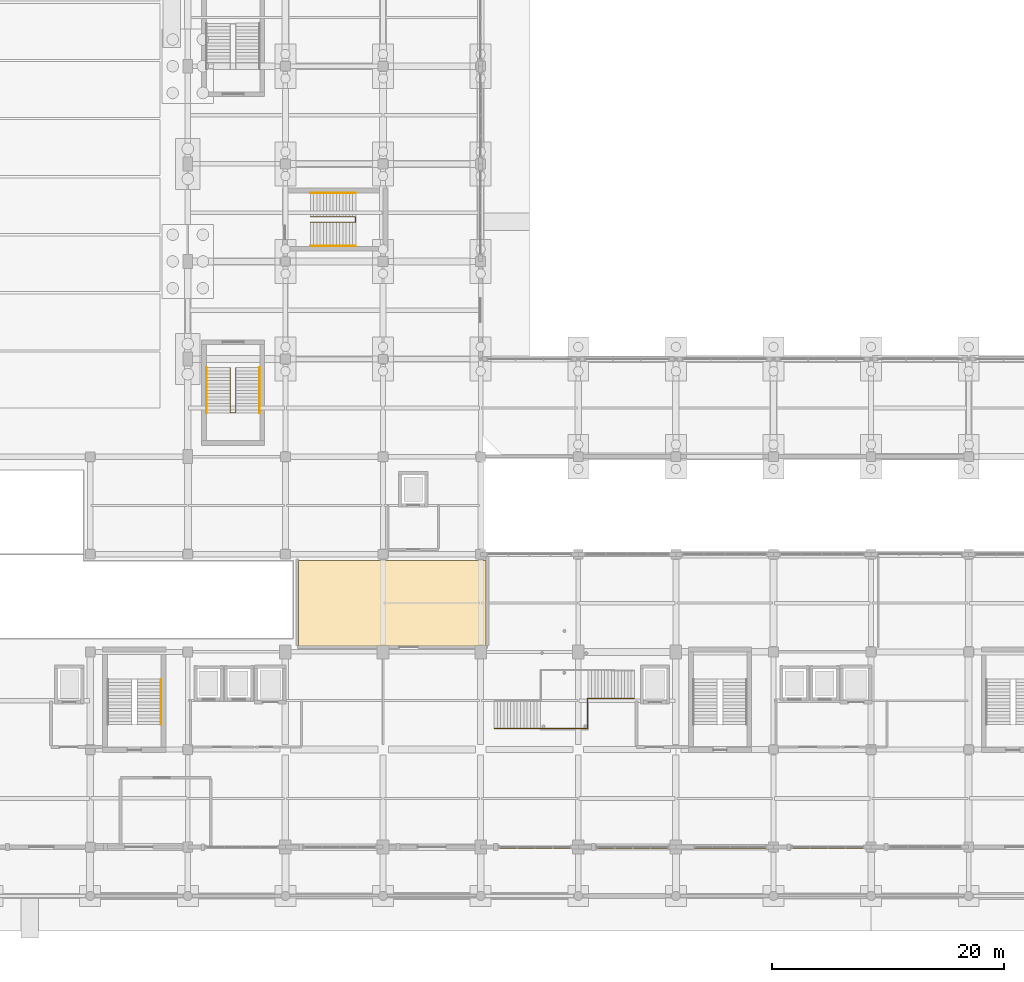
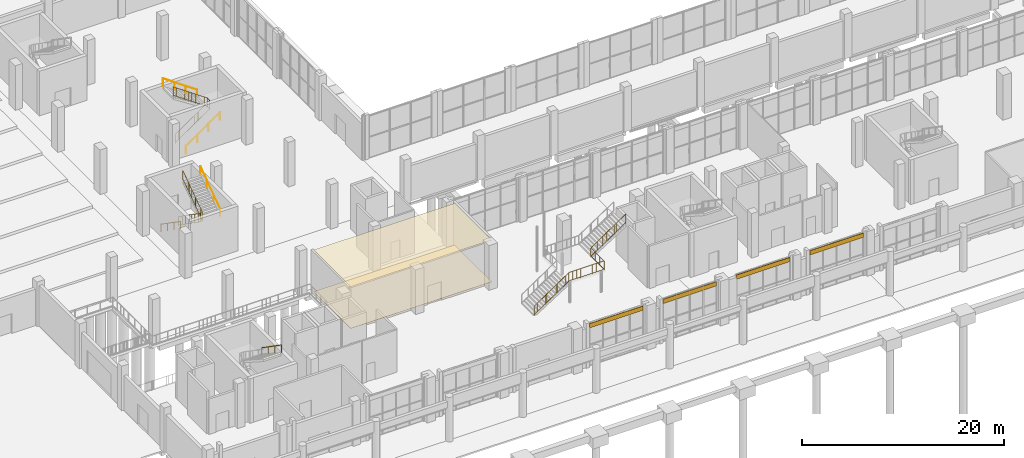
# One storey, part 78 of 82: 8 railings, 6 coverings.
"""IFC4 building model written with IfcOpenShell, lengths in metres."""

from ifc_helpers import new_model, si_unit, derived_unit, direction, frame, origin, origin_2d, place, context, subcontext, project, spatial, polyline, rectangle, circle, outline, extrude, material, layer, layer_set, type_object, element, save


model = new_model("IFC4")

# Units and contexts
model_context = context("Model", 3, precision=1e-05, world=origin(), true_north=direction((0.0, 1.0)))
body_context = subcontext(model_context, "Body", "Model", "MODEL_VIEW")
ifc_project = project(units=[si_unit("LENGTHUNIT", "METRE"), si_unit("AREAUNIT", "SQUARE_METRE"), si_unit("VOLUMEUNIT", "CUBIC_METRE"), si_unit("PLANEANGLEUNIT", "RADIAN"), si_unit("MASSUNIT", "GRAM", prefix="KILO"), derived_unit("THERMALTRANSMITTANCEUNIT", [(si_unit("POWERUNIT", "WATT"), 1), (si_unit("LENGTHUNIT", "METRE"), -2), (si_unit("THERMODYNAMICTEMPERATUREUNIT", "KELVIN"), -1)])], contexts=[model_context])

# Site, building, storey
site_placement = place(None, origin())
site = spatial("IfcSite", under=ifc_project, at=site_placement, CompositionType="ELEMENT")
building_placement = place(site_placement, origin())
building = spatial("IfcBuilding", under=site, at=building_placement, Name="Barrovel Congress Hotel", CompositionType="ELEMENT")
storey_placement = place(building_placement, origin())
storey = spatial("IfcBuildingStorey", under=building, at=storey_placement, Name="L00", CompositionType="ELEMENT", Elevation=0.0)

# Coverings
ifc_material_1 = material(Name="Perforated Timber Acoustic Ceiling", Category="wood")
ifc_layer_1 = layer(ifc_material_1, 0.030029296875)
ifc_layer_set_1 = layer_set([ifc_layer_1], Name="Perforated Timber Acoustic Ceiling")
covering_type_1 = type_object("IfcCoveringType", Name="COV-CEIL-ACU", PredefinedType="CEILING", material=ifc_layer_set_1)
covering_1_placement = place(storey_placement, frame((0.0, 0.0, 5.044921875)))
element("IfcCovering", 1, at=covering_1_placement, inside=storey, type_object=covering_type_1, Name="CEIL:01", PredefinedType="CEILING", context=body_context, shape_type="SweptSolid", body=[
    extrude(outline(polyline([(43.1201171875, 21.52001953125), (59.280029296875, 21.52001953125), (59.280029296875, 28.8798828125), (43.1201171875, 28.8798828125), (43.1201171875, 21.52001953125)])), origin(), (0.0, 0.0, 1.0), 0.030029296875),
])
ifc_material_2 = material(Name="Glazed Terracotta Spandrel", Category="masonry")
ifc_layer_2 = layer(ifc_material_2, 0.1201171875)
ifc_layer_set_2 = layer_set([ifc_layer_2], Name="Glazed Terracotta Spandrel")
covering_type_2 = type_object("IfcCoveringType", Name="COV-CLAD-TERRA", PredefinedType="CLADDING", material=ifc_layer_set_2)
for number, where, z_axis, x_axis, name in (
    (2, (63.47998046875, 4.14990234375, 4.610107421875), (0.0, 0.0, 1.0), (1.0, 0.0, 0.0), "CLAD:L00:S:07"),
    (3, (71.8798828125, 4.14990234375, 4.610107421875), (0.0, 0.0, 1.0), (1.0, 0.0, 0.0), "CLAD:L00:S:08"),
    (4, (80.280029296875, 4.14990234375, 4.610107421875), (0.0, 0.0, 1.0), (1.0, 0.0, 0.0), "CLAD:L00:S:09"),
    (5, (88.679931640625, 4.14990234375, 4.610107421875), (0.0, 0.0, 1.0), (1.0, 0.0, 0.0), "CLAD:L00:S:10"),
):
    element("IfcCovering", number, at=place(storey_placement, frame(where, z_axis=z_axis, x_axis=x_axis)), inside=storey, type_object=covering_type_2, Name=name, PredefinedType="CLADDING", context=body_context, shape_type="SweptSolid", body=[
        extrude(rectangle(XDim=6.1201171875, YDim=0.1201171875, at=origin_2d()), origin(), (0.0, 0.0, 1.0), 0.52001953125),
    ])
ifc_material_3 = material(Name="Polished Monterrey Limestone Terrazzo", Category="masonry")
ifc_layer_3 = layer(ifc_material_3, 0.030029296875)
ifc_layer_set_3 = layer_set([ifc_layer_3], Name="Polished Monterrey Limestone Terrazzo")
covering_type_3 = type_object("IfcCoveringType", Name="COV-FLOR-TRZ", PredefinedType="FLOORING", material=ifc_layer_set_3)
covering_2_placement = place(storey_placement, origin())
element("IfcCovering", 6, at=covering_2_placement, inside=storey, type_object=covering_type_3, Name="FLOR:01", PredefinedType="FLOORING", context=body_context, shape_type="SweptSolid", body=[
    extrude(outline(polyline([(43.1201171875, 21.52001953125), (59.280029296875, 21.52001953125), (59.280029296875, 28.8798828125), (43.1201171875, 28.8798828125), (43.1201171875, 21.52001953125)])), origin(), (0.0, 0.0, 1.0), 0.030029296875),
])

# Railings
ifc_material_4 = material(Name="Painted Architectural Steel", Category="steel")
ifc_layer_4 = layer(ifc_material_4, 0.070068359375)
ifc_layer_set_4 = layer_set([ifc_layer_4], Name="Painted Architectural Steel")
railing_type_1 = type_object("IfcRailingType", Name="RAIL-GUARD-INT", PredefinedType="BALUSTRADE", material=ifc_layer_set_4)
railing_1_placement = place(storey_placement, frame((44.139892578125, 57.9599609375, 0.0)))
element("IfcRailing", 7, at=railing_1_placement, inside=storey, type_object=railing_type_1, Name="STAIR:XS-05:L00:GR-W", PredefinedType="BALUSTRADE", context=body_context, shape_type="SweptSolid", body=[
    extrude(circle(Radius=0.02392578125, at=origin_2d()), frame((0.0, 0.0, 1.11572265625), z_axis=(0.82152157716, 0.0, 0.570177427), x_axis=(0.0, 1.0, 0.0)), (0.0, 0.0, 1.0), 4.7353515625),
    extrude(circle(Radius=0.02392578125, at=origin_2d()), frame((0.0, 0.0, 0.10009765625), z_axis=(0.82152157716, 0.0, 0.570177427), x_axis=(0.0, 1.0, 0.0)), (0.0, 0.0, 1.0), 4.7353515625),
    extrude(circle(Radius=0.010009765625, at=origin_2d()), frame((0.353759765625, 0.0, 0.345458984375)), (0.0, 0.0, 1.0), 0.99169921875),
    extrude(circle(Radius=0.010009765625, at=origin_2d()), frame((0.707275390625, 0.0, 0.5908203125)), (0.0, 0.0, 1.0), 0.99169921875),
    extrude(circle(Radius=0.010009765625, at=origin_2d()), frame((1.06103515625, 0.0, 0.83642578125)), (0.0, 0.0, 1.0), 0.99169921875),
    extrude(circle(Radius=0.010009765625, at=origin_2d()), frame((1.41455078125, 0.0, 1.081787109375)), (0.0, 0.0, 1.0), 0.99169921875),
    extrude(circle(Radius=0.010009765625, at=origin_2d()), frame((1.768310546875, 0.0, 1.3271484375)), (0.0, 0.0, 1.0), 0.99169921875),
    extrude(circle(Radius=0.010009765625, at=origin_2d()), frame((2.121826171875, 0.0, 1.57275390625)), (0.0, 0.0, 1.0), 0.99169921875),
    extrude(circle(Radius=0.010009765625, at=origin_2d()), frame((2.4755859375, 0.0, 1.818115234375)), (0.0, 0.0, 1.0), 0.99169921875),
    extrude(circle(Radius=0.010009765625, at=origin_2d()), frame((2.8291015625, 0.0, 2.063720703125)), (0.0, 0.0, 1.0), 0.99169921875),
    extrude(circle(Radius=0.010009765625, at=origin_2d()), frame((3.182861328125, 0.0, 2.30908203125)), (0.0, 0.0, 1.0), 0.99169921875),
    extrude(circle(Radius=0.010009765625, at=origin_2d()), frame((3.536376953125, 0.0, 2.554443359375)), (0.0, 0.0, 1.0), 0.99169921875),
    extrude(circle(Radius=0.02392578125, at=origin_2d()), frame((3.89013671875, 0.0, 3.81591796875), z_axis=(0.0, 1.0, 0.0), x_axis=(-1.0, 0.0, 0.0)), (0.0, 0.0, 1.0), 0.47998046875),
    extrude(circle(Radius=0.02392578125, at=origin_2d()), frame((3.89013671875, 0.0, 2.800048828125), z_axis=(0.0, 1.0, 0.0), x_axis=(-1.0, 0.0, 0.0)), (0.0, 0.0, 1.0), 0.47998046875),
    extrude(circle(Radius=0.010009765625, at=origin_2d()), frame((3.89013671875, 0.239990234375, 2.800048828125)), (0.0, 0.0, 1.0), 0.99169921875),
    extrude(circle(Radius=0.02392578125, at=origin_2d()), frame((3.89013671875, 0.47998046875, 3.81591796875), z_axis=(-0.82152157716, 0.0, 0.570177427), x_axis=(0.0, -1.0, 0.0)), (0.0, 0.0, 1.0), 4.7353515625),
    extrude(circle(Radius=0.02392578125, at=origin_2d()), frame((3.89013671875, 0.47998046875, 2.800048828125), z_axis=(-0.82152157716, 0.0, 0.570177427), x_axis=(0.0, -1.0, 0.0)), (0.0, 0.0, 1.0), 4.7353515625),
    extrude(circle(Radius=0.010009765625, at=origin_2d()), frame((3.536376953125, 0.47998046875, 3.04541015625)), (0.0, 0.0, 1.0), 0.99169921875),
    extrude(circle(Radius=0.010009765625, at=origin_2d()), frame((3.182861328125, 0.47998046875, 3.290771484375)), (0.0, 0.0, 1.0), 0.99169921875),
    extrude(circle(Radius=0.010009765625, at=origin_2d()), frame((2.8291015625, 0.47998046875, 3.536376953125)), (0.0, 0.0, 1.0), 0.99169921875),
    extrude(circle(Radius=0.010009765625, at=origin_2d()), frame((2.4755859375, 0.47998046875, 3.78173828125)), (0.0, 0.0, 1.0), 0.99169921875),
    extrude(circle(Radius=0.010009765625, at=origin_2d()), frame((2.121826171875, 0.47998046875, 4.027099609375)), (0.0, 0.0, 1.0), 0.99169921875),
    extrude(circle(Radius=0.010009765625, at=origin_2d()), frame((1.768310546875, 0.47998046875, 4.272705078125)), (0.0, 0.0, 1.0), 0.99169921875),
    extrude(circle(Radius=0.010009765625, at=origin_2d()), frame((1.41455078125, 0.47998046875, 4.51806640625)), (0.0, 0.0, 1.0), 0.99169921875),
    extrude(circle(Radius=0.010009765625, at=origin_2d()), frame((1.06103515625, 0.47998046875, 4.763671875)), (0.0, 0.0, 1.0), 0.99169921875),
    extrude(circle(Radius=0.010009765625, at=origin_2d()), frame((0.707275390625, 0.47998046875, 5.009033203125)), (0.0, 0.0, 1.0), 0.99169921875),
    extrude(circle(Radius=0.010009765625, at=origin_2d()), frame((0.353759765625, 0.47998046875, 5.25439453125)), (0.0, 0.0, 1.0), 0.99169921875),
    extrude(circle(Radius=0.02099609375, at=origin_2d()), origin(), (0.0, 0.0, 1.0), 1.091796875),
    extrude(circle(Radius=0.02099609375, at=origin_2d()), frame((1.296630859375, 0.0, 0.89990234375)), (0.0, 0.0, 1.0), 1.091796875),
    extrude(circle(Radius=0.02099609375, at=origin_2d()), frame((2.593505859375, 0.0, 1.800048828125)), (0.0, 0.0, 1.0), 1.091796875),
    extrude(circle(Radius=0.02099609375, at=origin_2d()), frame((3.89013671875, 0.0, 2.699951171875)), (0.0, 0.0, 1.0), 1.091796875),
    extrude(circle(Radius=0.02099609375, at=origin_2d()), frame((3.89013671875, 0.47998046875, 2.699951171875)), (0.0, 0.0, 1.0), 1.091796875),
    extrude(circle(Radius=0.02099609375, at=origin_2d()), frame((2.593505859375, 0.47998046875, 3.599853515625)), (0.0, 0.0, 1.0), 1.091796875),
    extrude(circle(Radius=0.02099609375, at=origin_2d()), frame((1.296630859375, 0.47998046875, 4.5)), (0.0, 0.0, 1.0), 1.091796875),
    extrude(circle(Radius=0.02099609375, at=origin_2d()), frame((0.0, 0.47998046875, 5.39990234375)), (0.0, 0.0, 1.0), 1.091796875),
])
railing_2_placement = place(storey_placement, frame((37.260009765625, 45.4599609375, 0.0)))
element("IfcRailing", 8, at=railing_2_placement, inside=storey, type_object=railing_type_1, Name="STAIR:XS-08:L00:GR-W", PredefinedType="BALUSTRADE", context=body_context, shape_type="SweptSolid", body=[
    extrude(circle(Radius=0.02392578125, at=origin_2d()), frame((0.0, 0.0, 1.11572265625), z_axis=(0.0, -0.821504814544, 0.570201578111), x_axis=(1.0, 0.0, 0.0)), (0.0, 0.0, 1.0), 4.735107421875),
    extrude(circle(Radius=0.02392578125, at=origin_2d()), frame((0.0, 0.0, 0.10009765625), z_axis=(0.0, -0.821504814544, 0.570201578111), x_axis=(1.0, 0.0, 0.0)), (0.0, 0.0, 1.0), 4.735107421875),
    extrude(circle(Radius=0.010009765625, at=origin_2d()), frame((0.0, -0.353515625, 0.345458984375)), (0.0, 0.0, 1.0), 0.99169921875),
    extrude(circle(Radius=0.010009765625, at=origin_2d()), frame((0.0, -0.707275390625, 0.5908203125)), (0.0, 0.0, 1.0), 0.99169921875),
    extrude(circle(Radius=0.010009765625, at=origin_2d()), frame((0.0, -1.060791015625, 0.83642578125)), (0.0, 0.0, 1.0), 0.99169921875),
    extrude(circle(Radius=0.010009765625, at=origin_2d()), frame((0.0, -1.41455078125, 1.081787109375)), (0.0, 0.0, 1.0), 0.99169921875),
    extrude(circle(Radius=0.010009765625, at=origin_2d()), frame((0.0, -1.76806640625, 1.3271484375)), (0.0, 0.0, 1.0), 0.99169921875),
    extrude(circle(Radius=0.010009765625, at=origin_2d()), frame((0.0, -2.121826171875, 1.57275390625)), (0.0, 0.0, 1.0), 0.99169921875),
    extrude(circle(Radius=0.010009765625, at=origin_2d()), frame((0.0, -2.475341796875, 1.818115234375)), (0.0, 0.0, 1.0), 0.99169921875),
    extrude(circle(Radius=0.010009765625, at=origin_2d()), frame((0.0, -2.8291015625, 2.063720703125)), (0.0, 0.0, 1.0), 0.99169921875),
    extrude(circle(Radius=0.010009765625, at=origin_2d()), frame((0.0, -3.1826171875, 2.30908203125)), (0.0, 0.0, 1.0), 0.99169921875),
    extrude(circle(Radius=0.010009765625, at=origin_2d()), frame((0.0, -3.536376953125, 2.554443359375)), (0.0, 0.0, 1.0), 0.99169921875),
    extrude(circle(Radius=0.02392578125, at=origin_2d()), frame((0.0, -3.889892578125, 3.81591796875), z_axis=(1.0, 0.0, 0.0), x_axis=(0.0, 1.0, 0.0)), (0.0, 0.0, 1.0), 0.47998046875),
    extrude(circle(Radius=0.02392578125, at=origin_2d()), frame((0.0, -3.889892578125, 2.800048828125), z_axis=(1.0, 0.0, 0.0), x_axis=(0.0, 1.0, 0.0)), (0.0, 0.0, 1.0), 0.47998046875),
    extrude(circle(Radius=0.010009765625, at=origin_2d()), frame((0.239990234375, -3.889892578125, 2.800048828125)), (0.0, 0.0, 1.0), 0.99169921875),
    extrude(circle(Radius=0.02392578125, at=origin_2d()), frame((0.47998046875, -3.889892578125, 3.81591796875), z_axis=(0.0, 0.821504814544, 0.570201578111), x_axis=(-1.0, 0.0, 0.0)), (0.0, 0.0, 1.0), 4.735107421875),
    extrude(circle(Radius=0.02392578125, at=origin_2d()), frame((0.47998046875, -3.889892578125, 2.800048828125), z_axis=(0.0, 0.821504814544, 0.570201578111), x_axis=(-1.0, 0.0, 0.0)), (0.0, 0.0, 1.0), 4.735107421875),
    extrude(circle(Radius=0.010009765625, at=origin_2d()), frame((0.47998046875, -3.536376953125, 3.04541015625)), (0.0, 0.0, 1.0), 0.99169921875),
    extrude(circle(Radius=0.010009765625, at=origin_2d()), frame((0.47998046875, -3.1826171875, 3.290771484375)), (0.0, 0.0, 1.0), 0.99169921875),
    extrude(circle(Radius=0.010009765625, at=origin_2d()), frame((0.47998046875, -2.8291015625, 3.536376953125)), (0.0, 0.0, 1.0), 0.99169921875),
    extrude(circle(Radius=0.010009765625, at=origin_2d()), frame((0.47998046875, -2.475341796875, 3.78173828125)), (0.0, 0.0, 1.0), 0.99169921875),
    extrude(circle(Radius=0.010009765625, at=origin_2d()), frame((0.47998046875, -2.121826171875, 4.027099609375)), (0.0, 0.0, 1.0), 0.99169921875),
    extrude(circle(Radius=0.010009765625, at=origin_2d()), frame((0.47998046875, -1.76806640625, 4.272705078125)), (0.0, 0.0, 1.0), 0.99169921875),
    extrude(circle(Radius=0.010009765625, at=origin_2d()), frame((0.47998046875, -1.41455078125, 4.51806640625)), (0.0, 0.0, 1.0), 0.99169921875),
    extrude(circle(Radius=0.010009765625, at=origin_2d()), frame((0.47998046875, -1.060791015625, 4.763671875)), (0.0, 0.0, 1.0), 0.99169921875),
    extrude(circle(Radius=0.010009765625, at=origin_2d()), frame((0.47998046875, -0.707275390625, 5.009033203125)), (0.0, 0.0, 1.0), 0.99169921875),
    extrude(circle(Radius=0.010009765625, at=origin_2d()), frame((0.47998046875, -0.353515625, 5.25439453125)), (0.0, 0.0, 1.0), 0.99169921875),
    extrude(circle(Radius=0.02099609375, at=origin_2d()), origin(), (0.0, 0.0, 1.0), 1.091796875),
    extrude(circle(Radius=0.02099609375, at=origin_2d()), frame((0.0, -1.296630859375, 0.89990234375)), (0.0, 0.0, 1.0), 1.091796875),
    extrude(circle(Radius=0.02099609375, at=origin_2d()), frame((0.0, -2.59326171875, 1.800048828125)), (0.0, 0.0, 1.0), 1.091796875),
    extrude(circle(Radius=0.02099609375, at=origin_2d()), frame((0.0, -3.889892578125, 2.699951171875)), (0.0, 0.0, 1.0), 1.091796875),
    extrude(circle(Radius=0.02099609375, at=origin_2d()), frame((0.47998046875, -3.889892578125, 2.699951171875)), (0.0, 0.0, 1.0), 1.091796875),
    extrude(circle(Radius=0.02099609375, at=origin_2d()), frame((0.47998046875, -2.59326171875, 3.599853515625)), (0.0, 0.0, 1.0), 1.091796875),
    extrude(circle(Radius=0.02099609375, at=origin_2d()), frame((0.47998046875, -1.296630859375, 4.5)), (0.0, 0.0, 1.0), 1.091796875),
    extrude(circle(Radius=0.02099609375, at=origin_2d()), frame((0.47998046875, 0.0, 5.39990234375)), (0.0, 0.0, 1.0), 1.091796875),
])
railing_3_placement = place(storey_placement, frame((60.0, 14.39990234375, 0.0)))
element("IfcRailing", 9, at=railing_3_placement, inside=storey, type_object=railing_type_1, Name="STAIR:ATR-L00:GR1", PredefinedType="BALUSTRADE", context=body_context, shape_type="SweptSolid", body=[
    extrude(circle(Radius=0.02392578125, at=origin_2d()), frame((0.0, 0.0, 1.11572265625), z_axis=(0.828202472812, 0.0, 0.560428999989), x_axis=(0.0, 1.0, 0.0)), (0.0, 0.0, 1.0), 4.817626953125),
    extrude(circle(Radius=0.02392578125, at=origin_2d()), frame((0.0, 0.0, 0.10009765625), z_axis=(0.828202472812, 0.0, 0.560428999989), x_axis=(0.0, 1.0, 0.0)), (0.0, 0.0, 1.0), 4.817626953125),
    extrude(circle(Radius=0.010009765625, at=origin_2d()), frame((0.36279296875, 0.0, 0.345458984375)), (0.0, 0.0, 1.0), 0.99169921875),
    extrude(circle(Radius=0.010009765625, at=origin_2d()), frame((0.725341796875, 0.0, 0.5908203125)), (0.0, 0.0, 1.0), 0.99169921875),
    extrude(circle(Radius=0.010009765625, at=origin_2d()), frame((1.088134765625, 0.0, 0.83642578125)), (0.0, 0.0, 1.0), 0.99169921875),
    extrude(circle(Radius=0.010009765625, at=origin_2d()), frame((1.450927734375, 0.0, 1.081787109375)), (0.0, 0.0, 1.0), 0.99169921875),
    extrude(circle(Radius=0.010009765625, at=origin_2d()), frame((1.813720703125, 0.0, 1.3271484375)), (0.0, 0.0, 1.0), 0.99169921875),
    extrude(circle(Radius=0.010009765625, at=origin_2d()), frame((2.17626953125, 0.0, 1.57275390625)), (0.0, 0.0, 1.0), 0.99169921875),
    extrude(circle(Radius=0.010009765625, at=origin_2d()), frame((2.5390625, 0.0, 1.818115234375)), (0.0, 0.0, 1.0), 0.99169921875),
    extrude(circle(Radius=0.010009765625, at=origin_2d()), frame((2.90185546875, 0.0, 2.063720703125)), (0.0, 0.0, 1.0), 0.99169921875),
    extrude(circle(Radius=0.010009765625, at=origin_2d()), frame((3.2646484375, 0.0, 2.30908203125)), (0.0, 0.0, 1.0), 0.99169921875),
    extrude(circle(Radius=0.010009765625, at=origin_2d()), frame((3.627197265625, 0.0, 2.554443359375)), (0.0, 0.0, 1.0), 0.99169921875),
    extrude(circle(Radius=0.02392578125, at=origin_2d()), frame((3.989990234375, 0.0, 3.81591796875), z_axis=(1.0, 0.0, 0.0), x_axis=(0.0, 1.0, 0.0)), (0.0, 0.0, 1.0), 4.02001953125),
    extrude(circle(Radius=0.02392578125, at=origin_2d()), frame((3.989990234375, 0.0, 2.800048828125), z_axis=(1.0, 0.0, 0.0), x_axis=(0.0, 1.0, 0.0)), (0.0, 0.0, 1.0), 4.02001953125),
    extrude(circle(Radius=0.010009765625, at=origin_2d()), frame((4.436767578125, 0.0, 2.800048828125)), (0.0, 0.0, 1.0), 0.99169921875),
    extrude(circle(Radius=0.010009765625, at=origin_2d()), frame((4.88330078125, 0.0, 2.800048828125)), (0.0, 0.0, 1.0), 0.99169921875),
    extrude(circle(Radius=0.010009765625, at=origin_2d()), frame((5.330078125, 0.0, 2.800048828125)), (0.0, 0.0, 1.0), 0.99169921875),
    extrude(circle(Radius=0.010009765625, at=origin_2d()), frame((5.776611328125, 0.0, 2.800048828125)), (0.0, 0.0, 1.0), 0.99169921875),
    extrude(circle(Radius=0.010009765625, at=origin_2d()), frame((6.223388671875, 0.0, 2.800048828125)), (0.0, 0.0, 1.0), 0.99169921875),
    extrude(circle(Radius=0.010009765625, at=origin_2d()), frame((6.669921875, 0.0, 2.800048828125)), (0.0, 0.0, 1.0), 0.99169921875),
    extrude(circle(Radius=0.010009765625, at=origin_2d()), frame((7.11669921875, 0.0, 2.800048828125)), (0.0, 0.0, 1.0), 0.99169921875),
    extrude(circle(Radius=0.010009765625, at=origin_2d()), frame((7.563232421875, 0.0, 2.800048828125)), (0.0, 0.0, 1.0), 0.99169921875),
    extrude(circle(Radius=0.02392578125, at=origin_2d()), frame((8.010009765625, 0.0, 3.81591796875), z_axis=(0.0, 1.0, 0.0), x_axis=(-1.0, 0.0, 0.0)), (0.0, 0.0, 1.0), 2.60009765625),
    extrude(circle(Radius=0.02392578125, at=origin_2d()), frame((8.010009765625, 0.0, 2.800048828125), z_axis=(0.0, 1.0, 0.0), x_axis=(-1.0, 0.0, 0.0)), (0.0, 0.0, 1.0), 2.60009765625),
    extrude(circle(Radius=0.010009765625, at=origin_2d()), frame((8.010009765625, 0.433349609375, 2.800048828125)), (0.0, 0.0, 1.0), 0.99169921875),
    extrude(circle(Radius=0.010009765625, at=origin_2d()), frame((8.010009765625, 0.86669921875, 2.800048828125)), (0.0, 0.0, 1.0), 0.99169921875),
    extrude(circle(Radius=0.010009765625, at=origin_2d()), frame((8.010009765625, 1.300048828125, 2.800048828125)), (0.0, 0.0, 1.0), 0.99169921875),
    extrude(circle(Radius=0.010009765625, at=origin_2d()), frame((8.010009765625, 1.7333984375, 2.800048828125)), (0.0, 0.0, 1.0), 0.99169921875),
    extrude(circle(Radius=0.010009765625, at=origin_2d()), frame((8.010009765625, 2.166748046875, 2.800048828125)), (0.0, 0.0, 1.0), 0.99169921875),
    extrude(circle(Radius=0.02392578125, at=origin_2d()), frame((8.010009765625, 2.60009765625, 3.81591796875), z_axis=(0.828202472812, 0.0, 0.560428999989), x_axis=(0.0, 1.0, 0.0)), (0.0, 0.0, 1.0), 4.817626953125),
    extrude(circle(Radius=0.02392578125, at=origin_2d()), frame((8.010009765625, 2.60009765625, 2.800048828125), z_axis=(0.828202472812, 0.0, 0.560428999989), x_axis=(0.0, 1.0, 0.0)), (0.0, 0.0, 1.0), 4.817626953125),
    extrude(circle(Radius=0.010009765625, at=origin_2d()), frame((8.372802734375, 2.60009765625, 3.04541015625)), (0.0, 0.0, 1.0), 0.99169921875),
    extrude(circle(Radius=0.010009765625, at=origin_2d()), frame((8.7353515625, 2.60009765625, 3.290771484375)), (0.0, 0.0, 1.0), 0.99169921875),
    extrude(circle(Radius=0.010009765625, at=origin_2d()), frame((9.09814453125, 2.60009765625, 3.536376953125)), (0.0, 0.0, 1.0), 0.99169921875),
    extrude(circle(Radius=0.010009765625, at=origin_2d()), frame((9.4609375, 2.60009765625, 3.78173828125)), (0.0, 0.0, 1.0), 0.99169921875),
    extrude(circle(Radius=0.010009765625, at=origin_2d()), frame((9.82373046875, 2.60009765625, 4.027099609375)), (0.0, 0.0, 1.0), 0.99169921875),
    extrude(circle(Radius=0.010009765625, at=origin_2d()), frame((10.186279296875, 2.60009765625, 4.272705078125)), (0.0, 0.0, 1.0), 0.99169921875),
    extrude(circle(Radius=0.010009765625, at=origin_2d()), frame((10.549072265625, 2.60009765625, 4.51806640625)), (0.0, 0.0, 1.0), 0.99169921875),
    extrude(circle(Radius=0.010009765625, at=origin_2d()), frame((10.911865234375, 2.60009765625, 4.763671875)), (0.0, 0.0, 1.0), 0.99169921875),
    extrude(circle(Radius=0.010009765625, at=origin_2d()), frame((11.274658203125, 2.60009765625, 5.009033203125)), (0.0, 0.0, 1.0), 0.99169921875),
    extrude(circle(Radius=0.010009765625, at=origin_2d()), frame((11.63720703125, 2.60009765625, 5.25439453125)), (0.0, 0.0, 1.0), 0.99169921875),
    extrude(circle(Radius=0.02099609375, at=origin_2d()), origin(), (0.0, 0.0, 1.0), 1.091796875),
    extrude(circle(Radius=0.02099609375, at=origin_2d()), frame((1.330078125, 0.0, 0.89990234375)), (0.0, 0.0, 1.0), 1.091796875),
    extrude(circle(Radius=0.02099609375, at=origin_2d()), frame((2.659912109375, 0.0, 1.800048828125)), (0.0, 0.0, 1.0), 1.091796875),
    extrude(circle(Radius=0.02099609375, at=origin_2d()), frame((3.989990234375, 0.0, 2.699951171875)), (0.0, 0.0, 1.0), 1.091796875),
    extrude(circle(Radius=0.02099609375, at=origin_2d()), frame((5.330078125, 0.0, 2.699951171875)), (0.0, 0.0, 1.0), 1.091796875),
    extrude(circle(Radius=0.02099609375, at=origin_2d()), frame((6.669921875, 0.0, 2.699951171875)), (0.0, 0.0, 1.0), 1.091796875),
    extrude(circle(Radius=0.02099609375, at=origin_2d()), frame((8.010009765625, 0.0, 2.699951171875)), (0.0, 0.0, 1.0), 1.091796875),
    extrude(circle(Radius=0.02099609375, at=origin_2d()), frame((8.010009765625, 1.300048828125, 2.699951171875)), (0.0, 0.0, 1.0), 1.091796875),
    extrude(circle(Radius=0.02099609375, at=origin_2d()), frame((8.010009765625, 2.60009765625, 2.699951171875)), (0.0, 0.0, 1.0), 1.091796875),
    extrude(circle(Radius=0.02099609375, at=origin_2d()), frame((9.340087890625, 2.60009765625, 3.599853515625)), (0.0, 0.0, 1.0), 1.091796875),
    extrude(circle(Radius=0.02099609375, at=origin_2d()), frame((10.669921875, 2.60009765625, 4.5)), (0.0, 0.0, 1.0), 1.091796875),
    extrude(circle(Radius=0.02099609375, at=origin_2d()), frame((12.0, 2.60009765625, 5.39990234375)), (0.0, 0.0, 1.0), 1.091796875),
])
ifc_material_5 = material(Name="Brushed Stainless Steel", Category="steel")
ifc_layer_5 = layer(ifc_material_5, 0.050048828125)
ifc_layer_set_5 = layer_set([ifc_layer_5], Name="Brushed Stainless Steel")
railing_type_2 = type_object("IfcRailingType", Name="RAIL-HAND", PredefinedType="HANDRAIL", material=ifc_layer_set_5)
railing_4_placement = place(storey_placement, frame((31.280029296875, 18.6298828125, 2.699951171875)))
element("IfcRailing", 10, at=railing_4_placement, inside=storey, type_object=railing_type_2, Name="STAIR:XS-01:L00:HR-2", PredefinedType="HANDRAIL", context=body_context, shape_type="SweptSolid", body=[
    extrude(circle(Radius=0.02392578125, at=origin_2d()), frame((0.0, 0.0, 0.89599609375), z_axis=(0.0, -0.821504814544, 0.570201578111), x_axis=(1.0, 0.0, 0.0)), (0.0, 0.0, 1.0), 4.735107421875),
    extrude(circle(Radius=0.02099609375, at=origin_2d()), origin(), (0.0, 0.0, 1.0), 0.871826171875),
    extrude(circle(Radius=0.02099609375, at=origin_2d()), frame((0.0, -1.296630859375, 0.89990234375)), (0.0, 0.0, 1.0), 0.871826171875),
    extrude(circle(Radius=0.02099609375, at=origin_2d()), frame((0.0, -2.59326171875, 1.800048828125)), (0.0, 0.0, 1.0), 0.871826171875),
    extrude(circle(Radius=0.02099609375, at=origin_2d()), frame((0.0, -3.889892578125, 2.699951171875)), (0.0, 0.0, 1.0), 0.871826171875),
])
railing_5_placement = place(storey_placement, frame((44.139892578125, 55.919921875, 0.0)))
element("IfcRailing", 11, at=railing_5_placement, inside=storey, type_object=railing_type_2, Name="STAIR:XS-05:L00:HR-1", PredefinedType="HANDRAIL", context=body_context, shape_type="SweptSolid", body=[
    extrude(circle(Radius=0.02392578125, at=origin_2d()), frame((0.0, 0.0, 0.89599609375), z_axis=(0.82152157716, 0.0, 0.570177427), x_axis=(0.0, 1.0, 0.0)), (0.0, 0.0, 1.0), 4.7353515625),
    extrude(circle(Radius=0.02099609375, at=origin_2d()), origin(), (0.0, 0.0, 1.0), 0.871826171875),
    extrude(circle(Radius=0.02099609375, at=origin_2d()), frame((1.296630859375, 0.0, 0.89990234375)), (0.0, 0.0, 1.0), 0.871826171875),
    extrude(circle(Radius=0.02099609375, at=origin_2d()), frame((2.593505859375, 0.0, 1.800048828125)), (0.0, 0.0, 1.0), 0.871826171875),
    extrude(circle(Radius=0.02099609375, at=origin_2d()), frame((3.89013671875, 0.0, 2.699951171875)), (0.0, 0.0, 1.0), 0.871826171875),
])
railing_6_placement = place(storey_placement, frame((48.030029296875, 60.47998046875, 2.699951171875)))
element("IfcRailing", 12, at=railing_6_placement, inside=storey, type_object=railing_type_2, Name="STAIR:XS-05:L00:HR-2", PredefinedType="HANDRAIL", context=body_context, shape_type="SweptSolid", body=[
    extrude(circle(Radius=0.02392578125, at=origin_2d()), frame((0.0, 0.0, 0.89599609375), z_axis=(-0.82152157716, 0.0, 0.570177427), x_axis=(0.0, -1.0, 0.0)), (0.0, 0.0, 1.0), 4.7353515625),
    extrude(circle(Radius=0.02099609375, at=origin_2d()), origin(), (0.0, 0.0, 1.0), 0.871826171875),
    extrude(circle(Radius=0.02099609375, at=origin_2d()), frame((-1.296630859375, 0.0, 0.89990234375)), (0.0, 0.0, 1.0), 0.871826171875),
    extrude(circle(Radius=0.02099609375, at=origin_2d()), frame((-2.593505859375, 0.0, 1.800048828125)), (0.0, 0.0, 1.0), 0.871826171875),
    extrude(circle(Radius=0.02099609375, at=origin_2d()), frame((-3.89013671875, 0.0, 2.699951171875)), (0.0, 0.0, 1.0), 0.871826171875),
])
railing_7_placement = place(storey_placement, frame((35.219970703125, 45.4599609375, 0.0)))
element("IfcRailing", 13, at=railing_7_placement, inside=storey, type_object=railing_type_2, Name="STAIR:XS-08:L00:HR-1", PredefinedType="HANDRAIL", context=body_context, shape_type="SweptSolid", body=[
    extrude(circle(Radius=0.02392578125, at=origin_2d()), frame((0.0, 0.0, 0.89599609375), z_axis=(0.0, -0.821504814544, 0.570201578111), x_axis=(1.0, 0.0, 0.0)), (0.0, 0.0, 1.0), 4.735107421875),
    extrude(circle(Radius=0.02099609375, at=origin_2d()), origin(), (0.0, 0.0, 1.0), 0.871826171875),
    extrude(circle(Radius=0.02099609375, at=origin_2d()), frame((0.0, -1.296630859375, 0.89990234375)), (0.0, 0.0, 1.0), 0.871826171875),
    extrude(circle(Radius=0.02099609375, at=origin_2d()), frame((0.0, -2.59326171875, 1.800048828125)), (0.0, 0.0, 1.0), 0.871826171875),
    extrude(circle(Radius=0.02099609375, at=origin_2d()), frame((0.0, -3.889892578125, 2.699951171875)), (0.0, 0.0, 1.0), 0.871826171875),
])
railing_8_placement = place(storey_placement, frame((39.780029296875, 41.570068359375, 2.699951171875)))
element("IfcRailing", 14, at=railing_8_placement, inside=storey, type_object=railing_type_2, Name="STAIR:XS-08:L00:HR-2", PredefinedType="HANDRAIL", context=body_context, shape_type="SweptSolid", body=[
    extrude(circle(Radius=0.02392578125, at=origin_2d()), frame((0.0, 0.0, 0.89599609375), z_axis=(0.0, 0.821504814544, 0.570201578111), x_axis=(-1.0, 0.0, 0.0)), (0.0, 0.0, 1.0), 4.735107421875),
    extrude(circle(Radius=0.02099609375, at=origin_2d()), origin(), (0.0, 0.0, 1.0), 0.871826171875),
    extrude(circle(Radius=0.02099609375, at=origin_2d()), frame((0.0, 1.296630859375, 0.89990234375)), (0.0, 0.0, 1.0), 0.871826171875),
    extrude(circle(Radius=0.02099609375, at=origin_2d()), frame((0.0, 2.59326171875, 1.800048828125)), (0.0, 0.0, 1.0), 0.871826171875),
    extrude(circle(Radius=0.02099609375, at=origin_2d()), frame((0.0, 3.889892578125, 2.699951171875)), (0.0, 0.0, 1.0), 0.871826171875),
])

save(model, "model.ifc")
